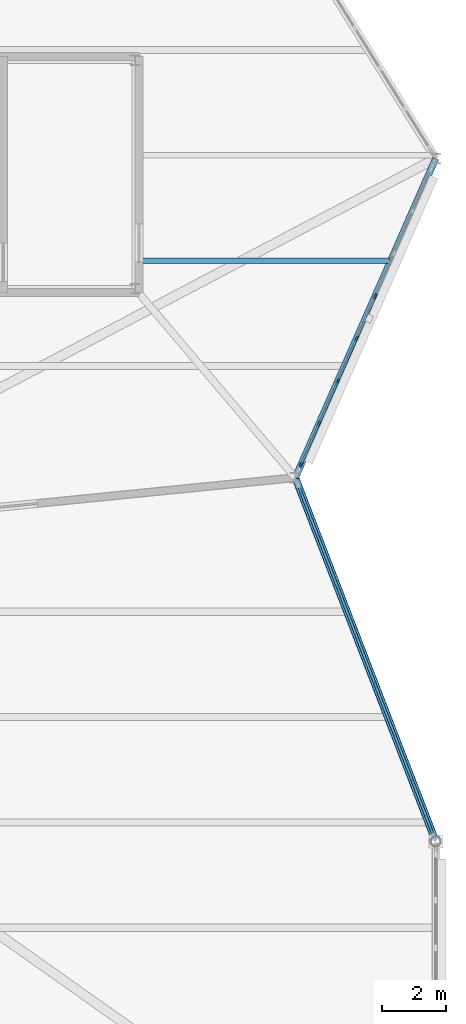
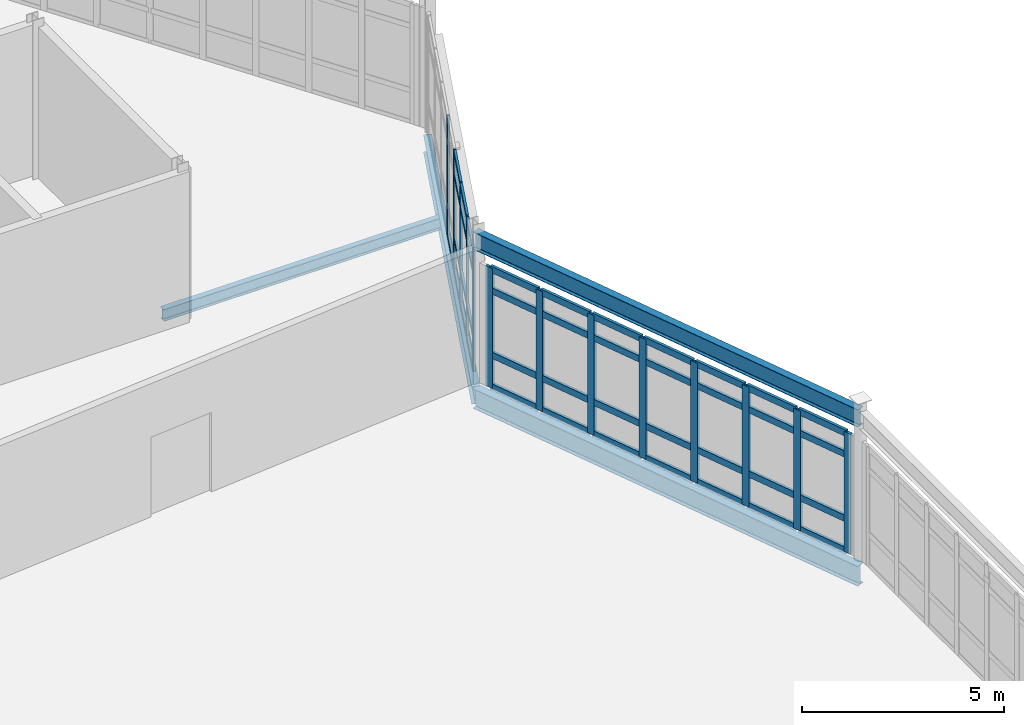
# One storey, part 70 of 134: 54 members, 4 beams, 2 elements without a shape of their own.
"""IFC4 building model written with IfcOpenShell, lengths in metres."""

from ifc_helpers import new_model, si_unit, direction, frame, origin, origin_2d, place, context, subcontext, project, spatial, rectangle, i_section, extrude, material, material_profile, profile_set, type_object, element, aggregate, save


model = new_model("IFC4")

# Units and contexts
model_context = context("Model", 3, precision=1e-05, world=origin(), true_north=direction((0.0, 1.0)))
body_context = subcontext(model_context, "Body", "Model", "MODEL_VIEW")
ifc_project = project(units=[si_unit("LENGTHUNIT", "METRE"), si_unit("AREAUNIT", "SQUARE_METRE"), si_unit("VOLUMEUNIT", "CUBIC_METRE"), si_unit("PLANEANGLEUNIT", "RADIAN"), si_unit("MASSUNIT", "GRAM", prefix="KILO")], contexts=[model_context])

# Site, building, storey
site_placement = place(None, origin())
site = spatial("IfcSite", under=ifc_project, at=site_placement, CompositionType="ELEMENT")
building_placement = place(site_placement, origin())
building = spatial("IfcBuilding", under=site, at=building_placement, Name="Tameran Prism Museum", CompositionType="ELEMENT")
storey_placement = place(building_placement, frame((0.0, 0.0, 5.39990234375)))
storey = spatial("IfcBuildingStorey", under=building, at=storey_placement, Name="L01", CompositionType="ELEMENT", Elevation=5.39990234375)

# Beams
ifc_material_1 = material(Name="Steel Grade 300PLUS (300 MPa)", Category="steel")
ifc_material_profile_1 = material_profile(ifc_material_1, i_section(OverallWidth=0.1708984375, OverallDepth=0.35595703125, WebThickness=0.00732421875, FlangeThickness=0.011474609375, FilletRadius=0.011474609375, at=origin_2d()))
ifc_profile_set_1 = profile_set([ifc_material_profile_1])
beam_type_1 = type_object("IfcBeamType", Name="BM-J360B", PredefinedType="JOIST", material=ifc_profile_set_1)
beam_1_placement = place(storey_placement, frame((156.97998046875, 30.800048828125, -0.3779296875), z_axis=(1.0, 0.0, 0.0), x_axis=(0.0, 1.0, 0.0)))
element("IfcBeam", 1, at=beam_1_placement, inside=storey, type_object=beam_type_1, Name="Floor Beam BM-0649", PredefinedType="JOIST", context=body_context, shape_type="SweptSolid", body=[
    extrude(i_section(OverallWidth=0.1708984375, OverallDepth=0.35595703125, WebThickness=0.00732421875, FlangeThickness=0.011474609375, FilletRadius=0.011474609375, at=origin_2d()), origin(), (0.0, 0.0, 1.0), 7.968017578125),
])
ifc_material_2 = material(Name="Steel Grade 300PLUS (300 MPa)", Category="steel")
ifc_material_profile_2 = material_profile(ifc_material_2, i_section(OverallWidth=0.208984375, OverallDepth=0.532958984375, WebThickness=0.01025390625, FlangeThickness=0.015625, FilletRadius=0.013916015625, at=origin_2d()))
ifc_profile_set_2 = profile_set([ifc_material_profile_2])
beam_type_2 = type_object("IfcBeamType", Name="BM-SP530A", PredefinedType="SPANDREL", material=ifc_profile_set_2)
beam_2_placement = place(storey_placement, frame((162.0, 24.0, -0.46630859375), z_axis=(0.402731125433, 0.915318327473, 0.0), x_axis=(-0.915318327473, 0.402731125433, 0.0)))
element("IfcBeam", 2, at=beam_2_placement, inside=storey, type_object=beam_type_2, Name="Perimeter Spandrel SP-0434", PredefinedType="SPANDREL", context=body_context, shape_type="SweptSolid", body=[
    extrude(i_section(OverallWidth=0.208984375, OverallDepth=0.532958984375, WebThickness=0.01025390625, FlangeThickness=0.015625, FilletRadius=0.013916015625, at=origin_2d()), origin(), (0.0, 0.0, 1.0), 10.925048828125),
])
ifc_material_3 = material(Name="Steel Grade 300PLUS (300 MPa)", Category="steel")
ifc_material_profile_3 = material_profile(ifc_material_3, i_section(OverallWidth=0.208984375, OverallDepth=0.528076171875, WebThickness=0.009521484375, FlangeThickness=0.01318359375, FilletRadius=0.013916015625, at=origin_2d()))
ifc_profile_set_3 = profile_set([ifc_material_profile_3])
beam_type_3 = type_object("IfcBeamType", Name="BM-SP530B", PredefinedType="SPANDREL", material=ifc_profile_set_3)
beam_3_placement = place(storey_placement, frame((166.39990234375, 12.60009765625, 4.256103515625), z_axis=(-0.360071323039, 0.932924778492, 0.0), x_axis=(-0.932924778492, -0.360071323039, 0.0)))
element("IfcBeam", 3, at=beam_3_placement, inside=storey, type_object=beam_type_3, Name="Roof Ring Beam RB-0381", PredefinedType="SPANDREL", context=body_context, shape_type="SweptSolid", body=[
    extrude(i_section(OverallWidth=0.208984375, OverallDepth=0.528076171875, WebThickness=0.009521484375, FlangeThickness=0.01318359375, FilletRadius=0.013916015625, at=origin_2d()), origin(), (0.0, 0.0, 1.0), 12.219482421875),
])
ifc_material_4 = material(Name="Steel Grade 300PLUS (300 MPa)", Category="steel")
ifc_material_profile_4 = material_profile(ifc_material_4, i_section(OverallWidth=0.22802734375, OverallDepth=0.60205078125, WebThickness=0.010498046875, FlangeThickness=0.014892578125, FilletRadius=0.013916015625, at=origin_2d()))
ifc_profile_set_4 = profile_set([ifc_material_profile_4])
beam_type_4 = type_object("IfcBeamType", Name="BM-SP610", PredefinedType="SPANDREL", material=ifc_profile_set_4)
beam_4_placement = place(storey_placement, frame((166.39990234375, 12.60009765625, -0.5009765625), z_axis=(-0.360071323039, 0.932924778492, 0.0), x_axis=(-0.932924778492, -0.360071323039, 0.0)))
element("IfcBeam", 4, at=beam_4_placement, inside=storey, type_object=beam_type_4, Name="Perimeter Spandrel SP-0375", PredefinedType="SPANDREL", context=body_context, shape_type="SweptSolid", body=[
    extrude(i_section(OverallWidth=0.22802734375, OverallDepth=0.60205078125, WebThickness=0.010498046875, FlangeThickness=0.014892578125, FilletRadius=0.013916015625, at=origin_2d()), origin(), (0.0, 0.0, 1.0), 12.219482421875),
])

# Curtain wall, members
ifc_material_5 = material(Name="Anodised Aluminium 6063-T6 and Cyclone Solar Glass", Category="aluminium")
curtain_wall_type_1 = type_object("IfcCurtainWallType", Name="CW-FAC-1016x362", PredefinedType="USERDEFINED", material=ifc_material_5)
curtain_wall_1_placement = place(storey_placement, origin())
curtain_wall_1 = element("IfcCurtainWall", 5, at=curtain_wall_1_placement, inside=storey, type_object=curtain_wall_type_1, Name="Unitised Curtain Wall CW-095", ObjectType="UNITISED CURTAIN WALL", PredefinedType="USERDEFINED")
ifc_material_6 = material(Name="Anodised Aluminium Alloy 6063-T6", Category="aluminium")
ifc_material_profile_5 = material_profile(ifc_material_6, rectangle(XDim=0.06494140625, YDim=0.159912109375, at=origin_2d()))
ifc_profile_set_5 = profile_set([ifc_material_profile_5])
member_type_1 = type_object("IfcMemberType", Name="CW-MUL-A", PredefinedType="MULLION", material=ifc_profile_set_5)
member_1_placement = place(storey_placement, frame((164.50439453125, 29.692138671875, 0.0), z_axis=(0.0, 0.0, 1.0), x_axis=(0.915322284668, -0.402722131488, 0.0)))
member_1 = element("IfcMember", 6, at=member_1_placement, type_object=member_type_1, Name="CW-095 mullion 4", PredefinedType="MULLION", context=body_context, shape_type="SweptSolid", body=[
    extrude(rectangle(XDim=0.06494140625, YDim=0.159912109375, at=origin_2d()), origin(), (0.0, 0.0, 1.0), 3.6201171875),
])
member_2_placement = place(storey_placement, frame((163.919677734375, 28.36279296875, 0.0), z_axis=(0.0, 0.0, 1.0), x_axis=(0.915322284668, -0.402722131488, 0.0)))
member_2 = element("IfcMember", 7, at=member_2_placement, type_object=member_type_1, Name="CW-095 mullion 5", PredefinedType="MULLION", context=body_context, shape_type="SweptSolid", body=[
    extrude(rectangle(XDim=0.06494140625, YDim=0.159912109375, at=origin_2d()), origin(), (0.0, 0.0, 1.0), 3.6201171875),
])
member_3_placement = place(storey_placement, frame((163.334716796875, 27.03369140625, 0.0), z_axis=(0.0, 0.0, 1.0), x_axis=(0.915322284668, -0.402722131488, 0.0)))
member_3 = element("IfcMember", 8, at=member_3_placement, type_object=member_type_1, Name="CW-095 mullion 6", PredefinedType="MULLION", context=body_context, shape_type="SweptSolid", body=[
    extrude(rectangle(XDim=0.06494140625, YDim=0.159912109375, at=origin_2d()), origin(), (0.0, 0.0, 1.0), 3.6201171875),
])
member_4_placement = place(storey_placement, frame((162.749755859375, 25.704345703125, 0.0), z_axis=(0.0, 0.0, 1.0), x_axis=(0.915322284668, -0.402722131488, 0.0)))
member_4 = element("IfcMember", 9, at=member_4_placement, type_object=member_type_1, Name="CW-095 mullion 7", PredefinedType="MULLION", context=body_context, shape_type="SweptSolid", body=[
    extrude(rectangle(XDim=0.06494140625, YDim=0.159912109375, at=origin_2d()), origin(), (0.0, 0.0, 1.0), 3.6201171875),
])
member_5_placement = place(storey_placement, frame((162.177978515625, 24.40478515625, 0.0), z_axis=(0.0, 0.0, 1.0), x_axis=(0.915322284668, -0.402722131488, 0.0)))
member_5 = element("IfcMember", 10, at=member_5_placement, type_object=member_type_1, Name="CW-095 mullion 8", PredefinedType="MULLION", context=body_context, shape_type="SweptSolid", body=[
    extrude(rectangle(XDim=0.06494140625, YDim=0.159912109375, at=origin_2d()), origin(), (0.0, 0.0, 1.0), 3.6201171875),
])

ifc_material_7 = material(Name="Anodised Aluminium 6063-T6 and Cyclone Solar Glass", Category="aluminium")
curtain_wall_type_2 = type_object("IfcCurtainWallType", Name="CW-FAC-1146x362", PredefinedType="USERDEFINED", material=ifc_material_7)
curtain_wall_2_placement = place(storey_placement, origin())
curtain_wall_2 = element("IfcCurtainWall", 11, at=curtain_wall_2_placement, inside=storey, type_object=curtain_wall_type_2, Name="Unitised Curtain Wall CW-082", ObjectType="UNITISED CURTAIN WALL", PredefinedType="USERDEFINED")
ifc_material_8 = material(Name="Anodised Aluminium Alloy 6063-T6", Category="aluminium")
ifc_material_profile_6 = material_profile(ifc_material_8, rectangle(XDim=0.080078125, YDim=0.219970703125, at=origin_2d()))
ifc_profile_set_6 = profile_set([ifc_material_profile_6])
member_type_2 = type_object("IfcMemberType", Name="CW-MUL-D", PredefinedType="MULLION", material=ifc_profile_set_6)
member_6_placement = place(storey_placement, frame((162.162353515625, 23.57958984375, 0.0), z_axis=(0.0, 0.0, 1.0), x_axis=(0.932922101403, 0.360078259151, 0.0)))
member_6 = element("IfcMember", 12, at=member_6_placement, type_object=member_type_2, Name="CW-082 mullion 1", PredefinedType="MULLION", context=body_context, shape_type="SweptSolid", body=[
    extrude(rectangle(XDim=0.080078125, YDim=0.219970703125, at=origin_2d()), origin(), (0.0, 0.0, 1.0), 3.6201171875),
])
member_7_placement = place(storey_placement, frame((162.737548828125, 22.08984375, 0.0), z_axis=(0.0, 0.0, 1.0), x_axis=(0.932922101403, 0.360078259151, 0.0)))
member_7 = element("IfcMember", 13, at=member_7_placement, type_object=member_type_2, Name="CW-082 mullion 2", PredefinedType="MULLION", context=body_context, shape_type="SweptSolid", body=[
    extrude(rectangle(XDim=0.080078125, YDim=0.219970703125, at=origin_2d()), origin(), (0.0, 0.0, 1.0), 3.6201171875),
])
member_8_placement = place(storey_placement, frame((163.326904296875, 20.562744140625, 0.0), z_axis=(0.0, 0.0, 1.0), x_axis=(0.932922101403, 0.360078259151, 0.0)))
member_8 = element("IfcMember", 14, at=member_8_placement, type_object=member_type_2, Name="CW-082 mullion 3", PredefinedType="MULLION", context=body_context, shape_type="SweptSolid", body=[
    extrude(rectangle(XDim=0.080078125, YDim=0.219970703125, at=origin_2d()), origin(), (0.0, 0.0, 1.0), 3.6201171875),
])
member_9_placement = place(storey_placement, frame((163.916259765625, 19.03564453125, 0.0), z_axis=(0.0, 0.0, 1.0), x_axis=(0.932922101403, 0.360078259151, 0.0)))
member_9 = element("IfcMember", 15, at=member_9_placement, type_object=member_type_2, Name="CW-082 mullion 4", PredefinedType="MULLION", context=body_context, shape_type="SweptSolid", body=[
    extrude(rectangle(XDim=0.080078125, YDim=0.219970703125, at=origin_2d()), origin(), (0.0, 0.0, 1.0), 3.6201171875),
])
member_10_placement = place(storey_placement, frame((164.505615234375, 17.508544921875, 0.0), z_axis=(0.0, 0.0, 1.0), x_axis=(0.932922101403, 0.360078259151, 0.0)))
member_10 = element("IfcMember", 16, at=member_10_placement, type_object=member_type_2, Name="CW-082 mullion 5", PredefinedType="MULLION", context=body_context, shape_type="SweptSolid", body=[
    extrude(rectangle(XDim=0.080078125, YDim=0.219970703125, at=origin_2d()), origin(), (0.0, 0.0, 1.0), 3.6201171875),
])
member_11_placement = place(storey_placement, frame((165.09521484375, 15.981201171875, 0.0), z_axis=(0.0, 0.0, 1.0), x_axis=(0.932922101403, 0.360078259151, 0.0)))
member_11 = element("IfcMember", 17, at=member_11_placement, type_object=member_type_2, Name="CW-082 mullion 6", PredefinedType="MULLION", context=body_context, shape_type="SweptSolid", body=[
    extrude(rectangle(XDim=0.080078125, YDim=0.219970703125, at=origin_2d()), origin(), (0.0, 0.0, 1.0), 3.6201171875),
])
member_12_placement = place(storey_placement, frame((165.6845703125, 14.4541015625, 0.0), z_axis=(0.0, 0.0, 1.0), x_axis=(0.932922101403, 0.360078259151, 0.0)))
member_12 = element("IfcMember", 18, at=member_12_placement, type_object=member_type_2, Name="CW-082 mullion 7", PredefinedType="MULLION", context=body_context, shape_type="SweptSolid", body=[
    extrude(rectangle(XDim=0.080078125, YDim=0.219970703125, at=origin_2d()), origin(), (0.0, 0.0, 1.0), 3.6201171875),
])
member_13_placement = place(storey_placement, frame((166.259521484375, 12.96435546875, 0.0), z_axis=(0.0, 0.0, 1.0), x_axis=(0.932922101403, 0.360078259151, 0.0)))
member_13 = element("IfcMember", 19, at=member_13_placement, type_object=member_type_2, Name="CW-082 mullion 8", PredefinedType="MULLION", context=body_context, shape_type="SweptSolid", body=[
    extrude(rectangle(XDim=0.080078125, YDim=0.219970703125, at=origin_2d()), origin(), (0.0, 0.0, 1.0), 3.6201171875),
])

# Member
ifc_material_9 = material(Name="Anodised Aluminium Alloy 6063-T6", Category="aluminium")
ifc_material_profile_7 = material_profile(ifc_material_9, rectangle(XDim=0.06494140625, YDim=0.139892578125, at=origin_2d()))
ifc_profile_set_7 = profile_set([ifc_material_profile_7])
member_type_3 = type_object("IfcMemberType", Name="CW-TRN-A", PredefinedType="USERDEFINED", material=ifc_profile_set_7)
member_14_placement = place(storey_placement, frame((164.491455078125, 29.662353515625, 0.03271484375), z_axis=(-0.402821177577, -0.915278700121, 0.0), x_axis=(0.915278700121, -0.402821177577, 0.0)))
member_14 = element("IfcMember", 20, at=member_14_placement, type_object=member_type_3, Name="CW-095 transom 4.1", ObjectType="TRANSOM", PredefinedType="USERDEFINED", context=body_context, shape_type="SweptSolid", body=[
    extrude(rectangle(XDim=0.06494140625, YDim=0.139892578125, at=origin_2d()), origin(), (0.0, 0.0, 1.0), 1.38720703125),
])

member_15_placement = place(storey_placement, frame((163.906494140625, 28.3330078125, 0.03271484375), z_axis=(-0.402673736196, -0.915343576029, 0.0), x_axis=(0.915343576029, -0.402673736196, 0.0)))
member_15 = element("IfcMember", 21, at=member_15_placement, type_object=member_type_3, Name="CW-095 transom 5.1", ObjectType="TRANSOM", PredefinedType="USERDEFINED", context=body_context, shape_type="SweptSolid", body=[
    extrude(rectangle(XDim=0.06494140625, YDim=0.139892578125, at=origin_2d()), origin(), (0.0, 0.0, 1.0), 1.38720703125),
])

member_16_placement = place(storey_placement, frame((163.906494140625, 28.3330078125, 1.0), z_axis=(-0.402673736196, -0.915343576029, 0.0), x_axis=(0.915343576029, -0.402673736196, 0.0)))
member_16 = element("IfcMember", 22, at=member_16_placement, type_object=member_type_3, Name="CW-095 transom 5.2", ObjectType="TRANSOM", PredefinedType="USERDEFINED", context=body_context, shape_type="SweptSolid", body=[
    extrude(rectangle(XDim=0.06494140625, YDim=0.139892578125, at=origin_2d()), origin(), (0.0, 0.0, 1.0), 1.38720703125),
])

member_17_placement = place(storey_placement, frame((163.906494140625, 28.3330078125, 2.940185546875), z_axis=(-0.402673736196, -0.915343576029, 0.0), x_axis=(0.915343576029, -0.402673736196, 0.0)))
member_17 = element("IfcMember", 23, at=member_17_placement, type_object=member_type_3, Name="CW-095 transom 5.3", ObjectType="TRANSOM", PredefinedType="USERDEFINED", context=body_context, shape_type="SweptSolid", body=[
    extrude(rectangle(XDim=0.06494140625, YDim=0.139892578125, at=origin_2d()), origin(), (0.0, 0.0, 1.0), 1.38720703125),
])

member_18_placement = place(storey_placement, frame((163.906494140625, 28.3330078125, 3.587646484375), z_axis=(-0.402673736196, -0.915343576029, 0.0), x_axis=(0.915343576029, -0.402673736196, 0.0)))
member_18 = element("IfcMember", 24, at=member_18_placement, type_object=member_type_3, Name="CW-095 transom 5.4", ObjectType="TRANSOM", PredefinedType="USERDEFINED", context=body_context, shape_type="SweptSolid", body=[
    extrude(rectangle(XDim=0.06494140625, YDim=0.139892578125, at=origin_2d()), origin(), (0.0, 0.0, 1.0), 1.38720703125),
])

member_19_placement = place(storey_placement, frame((163.321533203125, 27.00390625, 0.03271484375), z_axis=(-0.402673736196, -0.915343576029, 0.0), x_axis=(0.915343576029, -0.402673736196, 0.0)))
member_19 = element("IfcMember", 25, at=member_19_placement, type_object=member_type_3, Name="CW-095 transom 6.1", ObjectType="TRANSOM", PredefinedType="USERDEFINED", context=body_context, shape_type="SweptSolid", body=[
    extrude(rectangle(XDim=0.06494140625, YDim=0.139892578125, at=origin_2d()), origin(), (0.0, 0.0, 1.0), 1.38720703125),
])

member_20_placement = place(storey_placement, frame((163.321533203125, 27.00390625, 1.0), z_axis=(-0.402673736196, -0.915343576029, 0.0), x_axis=(0.915343576029, -0.402673736196, 0.0)))
member_20 = element("IfcMember", 26, at=member_20_placement, type_object=member_type_3, Name="CW-095 transom 6.2", ObjectType="TRANSOM", PredefinedType="USERDEFINED", context=body_context, shape_type="SweptSolid", body=[
    extrude(rectangle(XDim=0.06494140625, YDim=0.139892578125, at=origin_2d()), origin(), (0.0, 0.0, 1.0), 1.38720703125),
])

member_21_placement = place(storey_placement, frame((163.321533203125, 27.00390625, 2.940185546875), z_axis=(-0.402673736196, -0.915343576029, 0.0), x_axis=(0.915343576029, -0.402673736196, 0.0)))
member_21 = element("IfcMember", 27, at=member_21_placement, type_object=member_type_3, Name="CW-095 transom 6.3", ObjectType="TRANSOM", PredefinedType="USERDEFINED", context=body_context, shape_type="SweptSolid", body=[
    extrude(rectangle(XDim=0.06494140625, YDim=0.139892578125, at=origin_2d()), origin(), (0.0, 0.0, 1.0), 1.38720703125),
])

member_22_placement = place(storey_placement, frame((163.321533203125, 27.00390625, 3.587646484375), z_axis=(-0.402673736196, -0.915343576029, 0.0), x_axis=(0.915343576029, -0.402673736196, 0.0)))
member_22 = element("IfcMember", 28, at=member_22_placement, type_object=member_type_3, Name="CW-095 transom 6.4", ObjectType="TRANSOM", PredefinedType="USERDEFINED", context=body_context, shape_type="SweptSolid", body=[
    extrude(rectangle(XDim=0.06494140625, YDim=0.139892578125, at=origin_2d()), origin(), (0.0, 0.0, 1.0), 1.38720703125),
])

member_23_placement = place(storey_placement, frame((162.73681640625, 25.674560546875, 0.03271484375), z_axis=(-0.4027748497, -0.915299087976, 0.0), x_axis=(0.915299087976, -0.4027748497, 0.0)))
member_23 = element("IfcMember", 29, at=member_23_placement, type_object=member_type_3, Name="CW-095 transom 7.1", ObjectType="TRANSOM", PredefinedType="USERDEFINED", context=body_context, shape_type="SweptSolid", body=[
    extrude(rectangle(XDim=0.06494140625, YDim=0.139892578125, at=origin_2d()), origin(), (0.0, 0.0, 1.0), 1.354736328125),
])

member_24_placement = place(storey_placement, frame((162.73681640625, 25.674560546875, 1.0), z_axis=(-0.4027748497, -0.915299087976, 0.0), x_axis=(0.915299087976, -0.4027748497, 0.0)))
member_24 = element("IfcMember", 30, at=member_24_placement, type_object=member_type_3, Name="CW-095 transom 7.2", ObjectType="TRANSOM", PredefinedType="USERDEFINED", context=body_context, shape_type="SweptSolid", body=[
    extrude(rectangle(XDim=0.06494140625, YDim=0.139892578125, at=origin_2d()), origin(), (0.0, 0.0, 1.0), 1.354736328125),
])

member_25_placement = place(storey_placement, frame((162.73681640625, 25.674560546875, 2.940185546875), z_axis=(-0.4027748497, -0.915299087976, 0.0), x_axis=(0.915299087976, -0.4027748497, 0.0)))
member_25 = element("IfcMember", 31, at=member_25_placement, type_object=member_type_3, Name="CW-095 transom 7.3", ObjectType="TRANSOM", PredefinedType="USERDEFINED", context=body_context, shape_type="SweptSolid", body=[
    extrude(rectangle(XDim=0.06494140625, YDim=0.139892578125, at=origin_2d()), origin(), (0.0, 0.0, 1.0), 1.354736328125),
])

member_26_placement = place(storey_placement, frame((162.73681640625, 25.674560546875, 3.587646484375), z_axis=(-0.4027748497, -0.915299087976, 0.0), x_axis=(0.915299087976, -0.4027748497, 0.0)))
member_26 = element("IfcMember", 32, at=member_26_placement, type_object=member_type_3, Name="CW-095 transom 7.4", ObjectType="TRANSOM", PredefinedType="USERDEFINED", context=body_context, shape_type="SweptSolid", body=[
    extrude(rectangle(XDim=0.06494140625, YDim=0.139892578125, at=origin_2d()), origin(), (0.0, 0.0, 1.0), 1.354736328125),
])

aggregate(curtain_wall_1, [member_1, member_2, member_3, member_4, member_5, member_14, member_15, member_16, member_17, member_18, member_19, member_20, member_21, member_22, member_23, member_24, member_25, member_26])

ifc_material_10 = material(Name="Anodised Aluminium Alloy 6063-T6", Category="aluminium")
ifc_material_profile_8 = material_profile(ifc_material_10, rectangle(XDim=0.080078125, YDim=0.195068359375, at=origin_2d()))
ifc_profile_set_8 = profile_set([ifc_material_profile_8])
member_type_4 = type_object("IfcMemberType", Name="CW-TRN-D", PredefinedType="USERDEFINED", material=ifc_profile_set_8)
member_27_placement = place(storey_placement, frame((162.1767578125, 23.54248046875, 0.0400390625), z_axis=(0.36015422404, -0.932892777819, 0.0), x_axis=(0.932892777819, 0.36015422404, 0.0)))
member_27 = element("IfcMember", 33, at=member_27_placement, type_object=member_type_4, Name="CW-082 transom 1.1", ObjectType="TRANSOM", PredefinedType="USERDEFINED", context=body_context, shape_type="SweptSolid", body=[
    extrude(rectangle(XDim=0.080078125, YDim=0.195068359375, at=origin_2d()), origin(), (0.0, 0.0, 1.0), 1.51708984375),
])

member_28_placement = place(storey_placement, frame((162.1767578125, 23.54248046875, 1.0), z_axis=(0.36015422404, -0.932892777819, 0.0), x_axis=(0.932892777819, 0.36015422404, 0.0)))
member_28 = element("IfcMember", 34, at=member_28_placement, type_object=member_type_4, Name="CW-082 transom 1.2", ObjectType="TRANSOM", PredefinedType="USERDEFINED", context=body_context, shape_type="SweptSolid", body=[
    extrude(rectangle(XDim=0.080078125, YDim=0.195068359375, at=origin_2d()), origin(), (0.0, 0.0, 1.0), 1.51708984375),
])

member_29_placement = place(storey_placement, frame((162.1767578125, 23.54248046875, 2.940185546875), z_axis=(0.36015422404, -0.932892777819, 0.0), x_axis=(0.932892777819, 0.36015422404, 0.0)))
member_29 = element("IfcMember", 35, at=member_29_placement, type_object=member_type_4, Name="CW-082 transom 1.3", ObjectType="TRANSOM", PredefinedType="USERDEFINED", context=body_context, shape_type="SweptSolid", body=[
    extrude(rectangle(XDim=0.080078125, YDim=0.195068359375, at=origin_2d()), origin(), (0.0, 0.0, 1.0), 1.51708984375),
])

member_30_placement = place(storey_placement, frame((162.1767578125, 23.54248046875, 3.580078125), z_axis=(0.36015422404, -0.932892777819, 0.0), x_axis=(0.932892777819, 0.36015422404, 0.0)))
member_30 = element("IfcMember", 36, at=member_30_placement, type_object=member_type_4, Name="CW-082 transom 1.4", ObjectType="TRANSOM", PredefinedType="USERDEFINED", context=body_context, shape_type="SweptSolid", body=[
    extrude(rectangle(XDim=0.080078125, YDim=0.195068359375, at=origin_2d()), origin(), (0.0, 0.0, 1.0), 1.51708984375),
])

member_31_placement = place(storey_placement, frame((162.751953125, 22.052490234375, 0.0400390625), z_axis=(0.360061226794, -0.932928675173, 0.0), x_axis=(0.932928675173, 0.360061226794, 0.0)))
member_31 = element("IfcMember", 37, at=member_31_placement, type_object=member_type_4, Name="CW-082 transom 2.1", ObjectType="TRANSOM", PredefinedType="USERDEFINED", context=body_context, shape_type="SweptSolid", body=[
    extrude(rectangle(XDim=0.080078125, YDim=0.195068359375, at=origin_2d()), origin(), (0.0, 0.0, 1.0), 1.556884765625),
])

member_32_placement = place(storey_placement, frame((162.751953125, 22.052490234375, 1.0), z_axis=(0.360061226794, -0.932928675173, 0.0), x_axis=(0.932928675173, 0.360061226794, 0.0)))
member_32 = element("IfcMember", 38, at=member_32_placement, type_object=member_type_4, Name="CW-082 transom 2.2", ObjectType="TRANSOM", PredefinedType="USERDEFINED", context=body_context, shape_type="SweptSolid", body=[
    extrude(rectangle(XDim=0.080078125, YDim=0.195068359375, at=origin_2d()), origin(), (0.0, 0.0, 1.0), 1.556884765625),
])

member_33_placement = place(storey_placement, frame((162.751953125, 22.052490234375, 2.940185546875), z_axis=(0.360061226794, -0.932928675173, 0.0), x_axis=(0.932928675173, 0.360061226794, 0.0)))
member_33 = element("IfcMember", 39, at=member_33_placement, type_object=member_type_4, Name="CW-082 transom 2.3", ObjectType="TRANSOM", PredefinedType="USERDEFINED", context=body_context, shape_type="SweptSolid", body=[
    extrude(rectangle(XDim=0.080078125, YDim=0.195068359375, at=origin_2d()), origin(), (0.0, 0.0, 1.0), 1.556884765625),
])

member_34_placement = place(storey_placement, frame((162.751953125, 22.052490234375, 3.580078125), z_axis=(0.360061226794, -0.932928675173, 0.0), x_axis=(0.932928675173, 0.360061226794, 0.0)))
member_34 = element("IfcMember", 40, at=member_34_placement, type_object=member_type_4, Name="CW-082 transom 2.4", ObjectType="TRANSOM", PredefinedType="USERDEFINED", context=body_context, shape_type="SweptSolid", body=[
    extrude(rectangle(XDim=0.080078125, YDim=0.195068359375, at=origin_2d()), origin(), (0.0, 0.0, 1.0), 1.556884765625),
])

member_35_placement = place(storey_placement, frame((163.34130859375, 20.525390625, 0.0400390625), z_axis=(0.360061226794, -0.932928675173, 0.0), x_axis=(0.932928675173, 0.360061226794, 0.0)))
member_35 = element("IfcMember", 41, at=member_35_placement, type_object=member_type_4, Name="CW-082 transom 3.1", ObjectType="TRANSOM", PredefinedType="USERDEFINED", context=body_context, shape_type="SweptSolid", body=[
    extrude(rectangle(XDim=0.080078125, YDim=0.195068359375, at=origin_2d()), origin(), (0.0, 0.0, 1.0), 1.556884765625),
])

member_36_placement = place(storey_placement, frame((163.34130859375, 20.525390625, 1.0), z_axis=(0.360061226794, -0.932928675173, 0.0), x_axis=(0.932928675173, 0.360061226794, 0.0)))
member_36 = element("IfcMember", 42, at=member_36_placement, type_object=member_type_4, Name="CW-082 transom 3.2", ObjectType="TRANSOM", PredefinedType="USERDEFINED", context=body_context, shape_type="SweptSolid", body=[
    extrude(rectangle(XDim=0.080078125, YDim=0.195068359375, at=origin_2d()), origin(), (0.0, 0.0, 1.0), 1.556884765625),
])

member_37_placement = place(storey_placement, frame((163.34130859375, 20.525390625, 2.940185546875), z_axis=(0.360061226794, -0.932928675173, 0.0), x_axis=(0.932928675173, 0.360061226794, 0.0)))
member_37 = element("IfcMember", 43, at=member_37_placement, type_object=member_type_4, Name="CW-082 transom 3.3", ObjectType="TRANSOM", PredefinedType="USERDEFINED", context=body_context, shape_type="SweptSolid", body=[
    extrude(rectangle(XDim=0.080078125, YDim=0.195068359375, at=origin_2d()), origin(), (0.0, 0.0, 1.0), 1.556884765625),
])

member_38_placement = place(storey_placement, frame((163.34130859375, 20.525390625, 3.580078125), z_axis=(0.360061226794, -0.932928675173, 0.0), x_axis=(0.932928675173, 0.360061226794, 0.0)))
member_38 = element("IfcMember", 44, at=member_38_placement, type_object=member_type_4, Name="CW-082 transom 3.4", ObjectType="TRANSOM", PredefinedType="USERDEFINED", context=body_context, shape_type="SweptSolid", body=[
    extrude(rectangle(XDim=0.080078125, YDim=0.195068359375, at=origin_2d()), origin(), (0.0, 0.0, 1.0), 1.556884765625),
])

member_39_placement = place(storey_placement, frame((163.9306640625, 18.998291015625, 0.0400390625), z_axis=(0.360008555927, -0.932949001639, 0.0), x_axis=(0.932949001639, 0.360008555927, 0.0)))
member_39 = element("IfcMember", 45, at=member_39_placement, type_object=member_type_4, Name="CW-082 transom 4.1", ObjectType="TRANSOM", PredefinedType="USERDEFINED", context=body_context, shape_type="SweptSolid", body=[
    extrude(rectangle(XDim=0.080078125, YDim=0.195068359375, at=origin_2d()), origin(), (0.0, 0.0, 1.0), 1.55712890625),
])

member_40_placement = place(storey_placement, frame((163.9306640625, 18.998291015625, 1.0), z_axis=(0.360008555927, -0.932949001639, 0.0), x_axis=(0.932949001639, 0.360008555927, 0.0)))
member_40 = element("IfcMember", 46, at=member_40_placement, type_object=member_type_4, Name="CW-082 transom 4.2", ObjectType="TRANSOM", PredefinedType="USERDEFINED", context=body_context, shape_type="SweptSolid", body=[
    extrude(rectangle(XDim=0.080078125, YDim=0.195068359375, at=origin_2d()), origin(), (0.0, 0.0, 1.0), 1.55712890625),
])

member_41_placement = place(storey_placement, frame((163.9306640625, 18.998291015625, 2.940185546875), z_axis=(0.360008555927, -0.932949001639, 0.0), x_axis=(0.932949001639, 0.360008555927, 0.0)))
member_41 = element("IfcMember", 47, at=member_41_placement, type_object=member_type_4, Name="CW-082 transom 4.3", ObjectType="TRANSOM", PredefinedType="USERDEFINED", context=body_context, shape_type="SweptSolid", body=[
    extrude(rectangle(XDim=0.080078125, YDim=0.195068359375, at=origin_2d()), origin(), (0.0, 0.0, 1.0), 1.55712890625),
])

member_42_placement = place(storey_placement, frame((163.9306640625, 18.998291015625, 3.580078125), z_axis=(0.360008555927, -0.932949001639, 0.0), x_axis=(0.932949001639, 0.360008555927, 0.0)))
member_42 = element("IfcMember", 48, at=member_42_placement, type_object=member_type_4, Name="CW-082 transom 4.4", ObjectType="TRANSOM", PredefinedType="USERDEFINED", context=body_context, shape_type="SweptSolid", body=[
    extrude(rectangle(XDim=0.080078125, YDim=0.195068359375, at=origin_2d()), origin(), (0.0, 0.0, 1.0), 1.55712890625),
])

member_43_placement = place(storey_placement, frame((164.52001953125, 17.47119140625, 0.0400390625), z_axis=(0.360145020515, -0.932896330895, 0.0), x_axis=(0.932896330895, 0.360145020515, 0.0)))
member_43 = element("IfcMember", 49, at=member_43_placement, type_object=member_type_4, Name="CW-082 transom 5.1", ObjectType="TRANSOM", PredefinedType="USERDEFINED", context=body_context, shape_type="SweptSolid", body=[
    extrude(rectangle(XDim=0.080078125, YDim=0.195068359375, at=origin_2d()), origin(), (0.0, 0.0, 1.0), 1.55712890625),
])

member_44_placement = place(storey_placement, frame((164.52001953125, 17.47119140625, 1.0), z_axis=(0.360145020515, -0.932896330895, 0.0), x_axis=(0.932896330895, 0.360145020515, 0.0)))
member_44 = element("IfcMember", 50, at=member_44_placement, type_object=member_type_4, Name="CW-082 transom 5.2", ObjectType="TRANSOM", PredefinedType="USERDEFINED", context=body_context, shape_type="SweptSolid", body=[
    extrude(rectangle(XDim=0.080078125, YDim=0.195068359375, at=origin_2d()), origin(), (0.0, 0.0, 1.0), 1.55712890625),
])

member_45_placement = place(storey_placement, frame((164.52001953125, 17.47119140625, 2.940185546875), z_axis=(0.360145020515, -0.932896330895, 0.0), x_axis=(0.932896330895, 0.360145020515, 0.0)))
member_45 = element("IfcMember", 51, at=member_45_placement, type_object=member_type_4, Name="CW-082 transom 5.3", ObjectType="TRANSOM", PredefinedType="USERDEFINED", context=body_context, shape_type="SweptSolid", body=[
    extrude(rectangle(XDim=0.080078125, YDim=0.195068359375, at=origin_2d()), origin(), (0.0, 0.0, 1.0), 1.55712890625),
])

member_46_placement = place(storey_placement, frame((164.52001953125, 17.47119140625, 3.580078125), z_axis=(0.360145020515, -0.932896330895, 0.0), x_axis=(0.932896330895, 0.360145020515, 0.0)))
member_46 = element("IfcMember", 52, at=member_46_placement, type_object=member_type_4, Name="CW-082 transom 5.4", ObjectType="TRANSOM", PredefinedType="USERDEFINED", context=body_context, shape_type="SweptSolid", body=[
    extrude(rectangle(XDim=0.080078125, YDim=0.195068359375, at=origin_2d()), origin(), (0.0, 0.0, 1.0), 1.55712890625),
])

member_47_placement = place(storey_placement, frame((165.109619140625, 15.94384765625, 0.0400390625), z_axis=(0.360061226794, -0.932928675173, 0.0), x_axis=(0.932928675173, 0.360061226794, 0.0)))
member_47 = element("IfcMember", 53, at=member_47_placement, type_object=member_type_4, Name="CW-082 transom 6.1", ObjectType="TRANSOM", PredefinedType="USERDEFINED", context=body_context, shape_type="SweptSolid", body=[
    extrude(rectangle(XDim=0.080078125, YDim=0.195068359375, at=origin_2d()), origin(), (0.0, 0.0, 1.0), 1.556884765625),
])

member_48_placement = place(storey_placement, frame((165.109619140625, 15.94384765625, 1.0), z_axis=(0.360061226794, -0.932928675173, 0.0), x_axis=(0.932928675173, 0.360061226794, 0.0)))
member_48 = element("IfcMember", 54, at=member_48_placement, type_object=member_type_4, Name="CW-082 transom 6.2", ObjectType="TRANSOM", PredefinedType="USERDEFINED", context=body_context, shape_type="SweptSolid", body=[
    extrude(rectangle(XDim=0.080078125, YDim=0.195068359375, at=origin_2d()), origin(), (0.0, 0.0, 1.0), 1.556884765625),
])

member_49_placement = place(storey_placement, frame((165.109619140625, 15.94384765625, 2.940185546875), z_axis=(0.360061226794, -0.932928675173, 0.0), x_axis=(0.932928675173, 0.360061226794, 0.0)))
member_49 = element("IfcMember", 55, at=member_49_placement, type_object=member_type_4, Name="CW-082 transom 6.3", ObjectType="TRANSOM", PredefinedType="USERDEFINED", context=body_context, shape_type="SweptSolid", body=[
    extrude(rectangle(XDim=0.080078125, YDim=0.195068359375, at=origin_2d()), origin(), (0.0, 0.0, 1.0), 1.556884765625),
])

member_50_placement = place(storey_placement, frame((165.109619140625, 15.94384765625, 3.580078125), z_axis=(0.360061226794, -0.932928675173, 0.0), x_axis=(0.932928675173, 0.360061226794, 0.0)))
member_50 = element("IfcMember", 56, at=member_50_placement, type_object=member_type_4, Name="CW-082 transom 6.4", ObjectType="TRANSOM", PredefinedType="USERDEFINED", context=body_context, shape_type="SweptSolid", body=[
    extrude(rectangle(XDim=0.080078125, YDim=0.195068359375, at=origin_2d()), origin(), (0.0, 0.0, 1.0), 1.556884765625),
])

member_51_placement = place(storey_placement, frame((165.698974609375, 14.416748046875, 0.0400390625), z_axis=(0.360068220825, -0.932925975816, 0.0), x_axis=(0.932925975816, 0.360068220825, 0.0)))
member_51 = element("IfcMember", 57, at=member_51_placement, type_object=member_type_4, Name="CW-082 transom 7.1", ObjectType="TRANSOM", PredefinedType="USERDEFINED", context=body_context, shape_type="SweptSolid", body=[
    extrude(rectangle(XDim=0.080078125, YDim=0.195068359375, at=origin_2d()), origin(), (0.0, 0.0, 1.0), 1.516845703125),
])

member_52_placement = place(storey_placement, frame((165.698974609375, 14.416748046875, 1.0), z_axis=(0.360068220825, -0.932925975816, 0.0), x_axis=(0.932925975816, 0.360068220825, 0.0)))
member_52 = element("IfcMember", 58, at=member_52_placement, type_object=member_type_4, Name="CW-082 transom 7.2", ObjectType="TRANSOM", PredefinedType="USERDEFINED", context=body_context, shape_type="SweptSolid", body=[
    extrude(rectangle(XDim=0.080078125, YDim=0.195068359375, at=origin_2d()), origin(), (0.0, 0.0, 1.0), 1.516845703125),
])

member_53_placement = place(storey_placement, frame((165.698974609375, 14.416748046875, 2.940185546875), z_axis=(0.360068220825, -0.932925975816, 0.0), x_axis=(0.932925975816, 0.360068220825, 0.0)))
member_53 = element("IfcMember", 59, at=member_53_placement, type_object=member_type_4, Name="CW-082 transom 7.3", ObjectType="TRANSOM", PredefinedType="USERDEFINED", context=body_context, shape_type="SweptSolid", body=[
    extrude(rectangle(XDim=0.080078125, YDim=0.195068359375, at=origin_2d()), origin(), (0.0, 0.0, 1.0), 1.516845703125),
])

member_54_placement = place(storey_placement, frame((165.698974609375, 14.416748046875, 3.580078125), z_axis=(0.360068220825, -0.932925975816, 0.0), x_axis=(0.932925975816, 0.360068220825, 0.0)))
member_54 = element("IfcMember", 60, at=member_54_placement, type_object=member_type_4, Name="CW-082 transom 7.4", ObjectType="TRANSOM", PredefinedType="USERDEFINED", context=body_context, shape_type="SweptSolid", body=[
    extrude(rectangle(XDim=0.080078125, YDim=0.195068359375, at=origin_2d()), origin(), (0.0, 0.0, 1.0), 1.516845703125),
])

aggregate(curtain_wall_2, [member_6, member_7, member_8, member_9, member_10, member_11, member_12, member_13, member_27, member_28, member_29, member_30, member_31, member_32, member_33, member_34, member_35, member_36, member_37, member_38, member_39, member_40, member_41, member_42, member_43, member_44, member_45, member_46, member_47, member_48, member_49, member_50, member_51, member_52, member_53, member_54])

save(model, "model.ifc")
